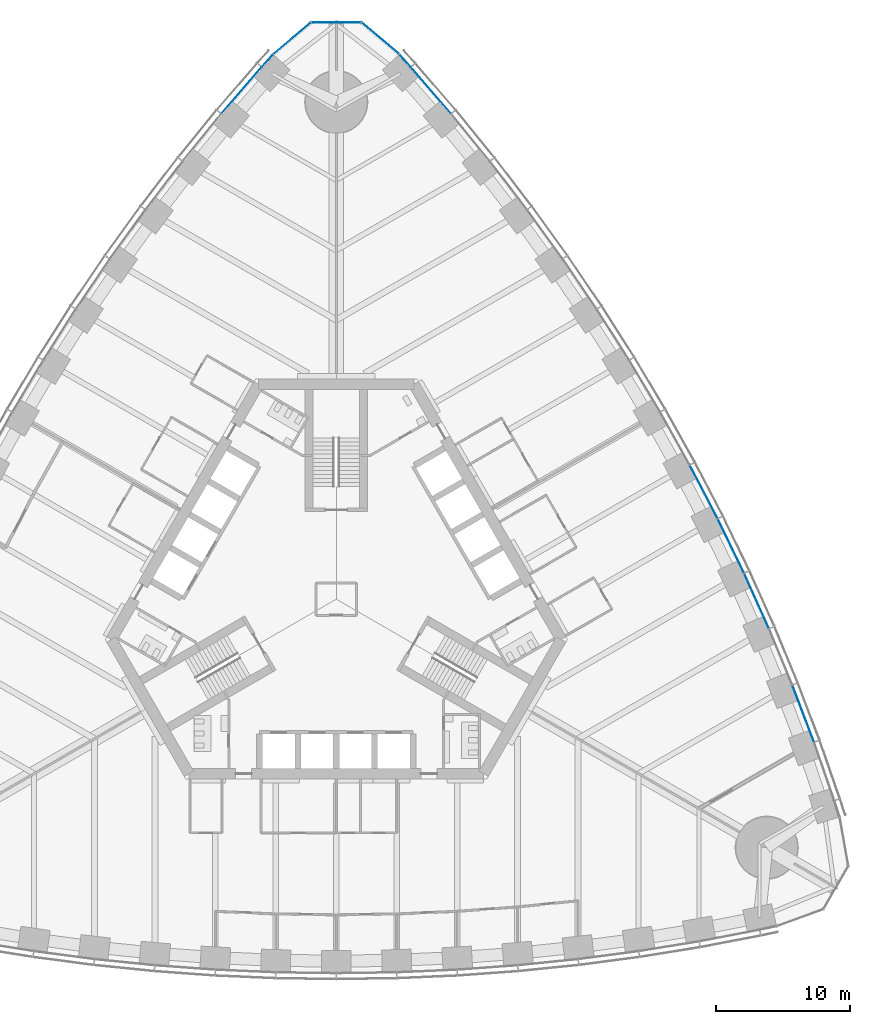
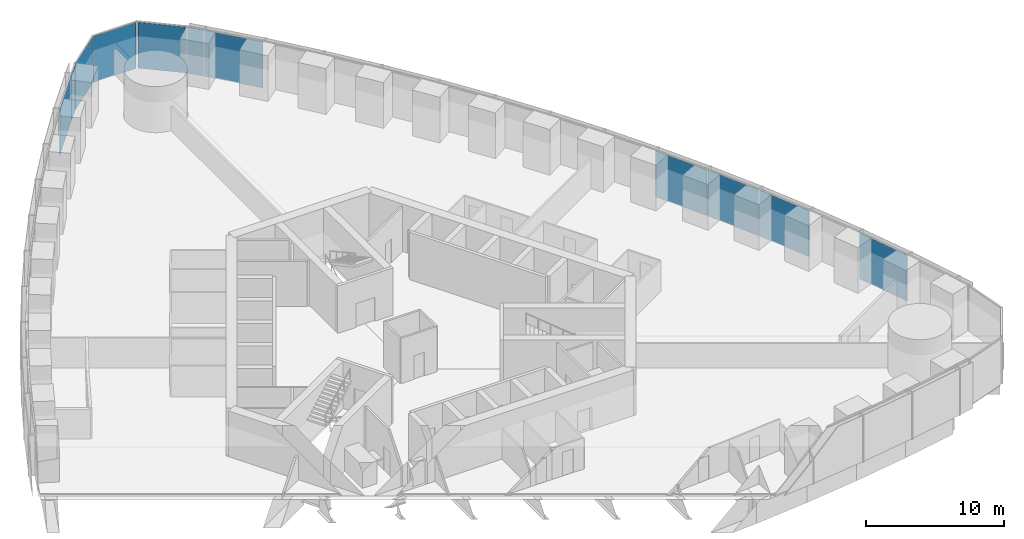
# One storey, part 9 of 18: 11 plates, 3 elements without a shape of their own.
"""IFC4 building model written with IfcOpenShell, lengths in metres."""

from ifc_helpers import new_model, si_unit, direction, frame, origin, origin_2d, place, context, subcontext, project, spatial, rectangle, extrude, material, layer, layer_set, type_object, element, aggregate, save


model = new_model("IFC4")

# Units and contexts
model_context = context("Model", 3, precision=1e-05, world=origin(), true_north=direction((0.0, 1.0)))
body_context = subcontext(model_context, "Body", "Model", "MODEL_VIEW")
ifc_project = project(units=[si_unit("LENGTHUNIT", "METRE"), si_unit("AREAUNIT", "SQUARE_METRE"), si_unit("VOLUMEUNIT", "CUBIC_METRE"), si_unit("PLANEANGLEUNIT", "RADIAN"), si_unit("MASSUNIT", "GRAM", prefix="KILO")], contexts=[model_context])

# Site, building, storey
site_placement = place(None, origin())
site = spatial("IfcSite", under=ifc_project, at=site_placement, CompositionType="ELEMENT")
building_placement = place(site_placement, origin())
building = spatial("IfcBuilding", under=site, at=building_placement, Name="Trefoil Bronze Tower", CompositionType="ELEMENT")
storey_placement = place(building_placement, frame((0.0, 0.0, 71.10009765625)))
storey = spatial("IfcBuildingStorey", under=building, at=storey_placement, Name="L16", CompositionType="ELEMENT", Elevation=71.10009765625)

# Curtain wall, plates
ifc_material_1 = material(Name="Tinted solar-control glass", Category="glass")
curtain_wall_type_1 = type_object("IfcCurtainWallType", Name="Bronze office curtain wall", PredefinedType="USERDEFINED", material=ifc_material_1)
curtain_wall_1_placement = place(storey_placement, origin())
curtain_wall_1 = element("IfcCurtainWall", 1, at=curtain_wall_1_placement, inside=storey, type_object=curtain_wall_type_1, Name="CW-A L16 F2", ObjectType="CURTAIN WALL", PredefinedType="USERDEFINED")
ifc_material_2 = material(Name="Tinted solar-control glass", Category="glass")
ifc_layer_1 = layer(ifc_material_2, 0.030029296875)
ifc_layer_set_1 = layer_set([ifc_layer_1], Name="Bronze office curtain wall glass panel")
plate_type_1 = type_object("IfcPlateType", Name="Bronze office curtain wall glass panel", PredefinedType="CURTAIN_PANEL", material=ifc_layer_set_1)
plate_1_placement = place(storey_placement, frame((34.763427734375, -8.526611328125, -0.000244140625), z_axis=(0.0, 0.0, 1.0), x_axis=(-0.355370585687, 0.934725492767, 0.0)))
plate_1 = element("IfcPlate", 2, at=plate_1_placement, type_object=plate_type_1, Name="CW-A L16 F2 panel 3", PredefinedType="CURTAIN_PANEL", context=body_context, shape_type="SweptSolid", body=[
    extrude(rectangle(XDim=4.478515625, YDim=0.030029296875, at=origin_2d()), origin(), (0.0, 0.0, 1.0), 4.080078125),
])
plate_2_placement = place(storey_placement, frame((31.28857421875, -0.1337890625, -0.000244140625), z_axis=(0.0, 0.0, 1.0), x_axis=(-0.40945635808, 0.912329705111, 0.0)))
plate_2 = element("IfcPlate", 3, at=plate_2_placement, type_object=plate_type_1, Name="CW-A L16 F2 panel 5", PredefinedType="CURTAIN_PANEL", context=body_context, shape_type="SweptSolid", body=[
    extrude(rectangle(XDim=4.443359375, YDim=0.030029296875, at=origin_2d()), origin(), (0.0, 0.0, 1.0), 4.080078125),
])
plate_3_placement = place(storey_placement, frame((29.3779296875, 3.962646484375, -0.000244140625), z_axis=(0.0, 0.0, 1.0), x_axis=(-0.4358553457, 0.900016731858, 0.0)))
plate_3 = element("IfcPlate", 4, at=plate_3_placement, type_object=plate_type_1, Name="CW-A L16 F2 panel 6", PredefinedType="CURTAIN_PANEL", context=body_context, shape_type="SweptSolid", body=[
    extrude(rectangle(XDim=4.431884765625, YDim=0.030029296875, at=origin_2d()), origin(), (0.0, 0.0, 1.0), 4.080078125),
])
plate_4_placement = place(storey_placement, frame((27.353271484375, 7.9931640625, -0.000244140625), z_axis=(0.0, 0.0, 1.0), x_axis=(-0.46182981834, 0.886968555752, 0.0)))
plate_4 = element("IfcPlate", 5, at=plate_4_placement, type_object=plate_type_1, Name="CW-A L16 F2 panel 7", PredefinedType="CURTAIN_PANEL", context=body_context, shape_type="SweptSolid", body=[
    extrude(rectangle(XDim=4.42431640625, YDim=0.030029296875, at=origin_2d()), origin(), (0.0, 0.0, 1.0), 4.080078125),
])
plate_5_placement = place(storey_placement, frame((7.056396484375, 37.870849609375, -0.000244140625), z_axis=(0.0, 0.0, 1.0), x_axis=(-0.654376090833, 0.756169248083, 0.0)))
plate_5 = element("IfcPlate", 6, at=plate_5_placement, type_object=plate_type_1, Name="CW-A L16 F2 panel 15", PredefinedType="CURTAIN_PANEL", context=body_context, shape_type="SweptSolid", body=[
    extrude(rectangle(XDim=4.502197265625, YDim=0.030029296875, at=origin_2d()), origin(), (0.0, 0.0, 1.0), 4.080078125),
])
plate_6_placement = place(storey_placement, frame((5.12451171875, 40.08447265625, -0.000244140625), z_axis=(0.0, 0.0, 1.0), x_axis=(-0.668575006272, 0.743644714221, 0.0)))
plate_6 = element("IfcPlate", 7, at=plate_6_placement, type_object=plate_type_1, Name="CW-A L16 F2 panel 16", PredefinedType="CURTAIN_PANEL", context=body_context, shape_type="SweptSolid", body=[
    extrude(rectangle(XDim=1.21044921875, YDim=0.030029296875, at=origin_2d()), origin(), (0.0, 0.0, 1.0), 4.080078125),
])
aggregate(curtain_wall_1, [plate_1, plate_2, plate_3, plate_4, plate_5, plate_6])

curtain_wall_2_placement = place(storey_placement, origin())
curtain_wall_2 = element("IfcCurtainWall", 8, at=curtain_wall_2_placement, inside=storey, type_object=curtain_wall_type_1, Name="CW-A L16 F3", ObjectType="CURTAIN WALL", PredefinedType="USERDEFINED")
plate_7_placement = place(storey_placement, frame((-5.12451171875, 40.08447265625, -0.000244140625), z_axis=(0.0, 0.0, 1.0), x_axis=(-0.668575006272, -0.743644714221, 0.0)))
plate_7 = element("IfcPlate", 9, at=plate_7_placement, type_object=plate_type_1, Name="CW-A L16 F3 panel 1", PredefinedType="CURTAIN_PANEL", context=body_context, shape_type="SweptSolid", body=[
    extrude(rectangle(XDim=1.21044921875, YDim=0.030029296875, at=origin_2d()), origin(), (0.0, 0.0, 1.0), 4.080078125),
])
plate_8_placement = place(storey_placement, frame((-7.056396484375, 37.870849609375, -0.000244140625), z_axis=(0.0, 0.0, 1.0), x_axis=(-0.654376090833, -0.756169248083, 0.0)))
plate_8 = element("IfcPlate", 10, at=plate_8_placement, type_object=plate_type_1, Name="CW-A L16 F3 panel 2", PredefinedType="CURTAIN_PANEL", context=body_context, shape_type="SweptSolid", body=[
    extrude(rectangle(XDim=4.502197265625, YDim=0.030029296875, at=origin_2d()), origin(), (0.0, 0.0, 1.0), 4.080078125),
])
aggregate(curtain_wall_2, [plate_7, plate_8])

ifc_material_3 = material(Name="Tinted solar-control glass", Category="glass")
curtain_wall_type_2 = type_object("IfcCurtainWallType", Name="Bronze rounded corner curtain wall", PredefinedType="USERDEFINED", material=ifc_material_3)
curtain_wall_3_placement = place(storey_placement, origin())
curtain_wall_3 = element("IfcCurtainWall", 11, at=curtain_wall_3_placement, inside=storey, type_object=curtain_wall_type_2, Name="CW-B L16 K2", ObjectType="CURTAIN WALL", PredefinedType="USERDEFINED")
ifc_material_4 = material(Name="Tinted solar-control glass", Category="glass")
ifc_layer_2 = layer(ifc_material_4, 0.030029296875)
ifc_layer_set_2 = layer_set([ifc_layer_2], Name="Bronze rounded corner curtain wall glass panel")
plate_type_2 = type_object("IfcPlateType", Name="Bronze rounded corner curtain wall glass panel", PredefinedType="CURTAIN_PANEL", material=ifc_layer_set_2)
plate_9_placement = place(storey_placement, frame((3.28564453125, 41.74658203125, -0.000244140625), z_axis=(0.0, 0.0, 1.0), x_axis=(-0.766044443119, 0.642787609687, 0.0)))
plate_9 = element("IfcPlate", 12, at=plate_9_placement, type_object=plate_type_2, Name="CW-B L16 K2 panel 1", PredefinedType="CURTAIN_PANEL", context=body_context, shape_type="SweptSolid", body=[
    extrude(rectangle(XDim=3.588134765625, YDim=0.030029296875, at=origin_2d()), origin(), (0.0, 0.0, 1.0), 4.080078125),
])
plate_10_placement = place(storey_placement, frame((0.0, 42.9423828125, -0.000244140625), z_axis=(0.0, 0.0, 1.0), x_axis=(-1.0, 0.0, 0.0)))
plate_10 = element("IfcPlate", 13, at=plate_10_placement, type_object=plate_type_2, Name="CW-B L16 K2 panel 2", PredefinedType="CURTAIN_PANEL", context=body_context, shape_type="SweptSolid", body=[
    extrude(rectangle(XDim=3.588134765625, YDim=0.030029296875, at=origin_2d()), origin(), (0.0, 0.0, 1.0), 4.080078125),
])
plate_11_placement = place(storey_placement, frame((-3.28564453125, 41.74658203125, -0.000244140625), z_axis=(0.0, 0.0, 1.0), x_axis=(-0.766044443119, -0.642787609687, 0.0)))
plate_11 = element("IfcPlate", 14, at=plate_11_placement, type_object=plate_type_2, Name="CW-B L16 K2 panel 3", PredefinedType="CURTAIN_PANEL", context=body_context, shape_type="SweptSolid", body=[
    extrude(rectangle(XDim=3.588134765625, YDim=0.030029296875, at=origin_2d()), origin(), (0.0, 0.0, 1.0), 4.080078125),
])
aggregate(curtain_wall_3, [plate_9, plate_10, plate_11])

save(model, "model.ifc")
